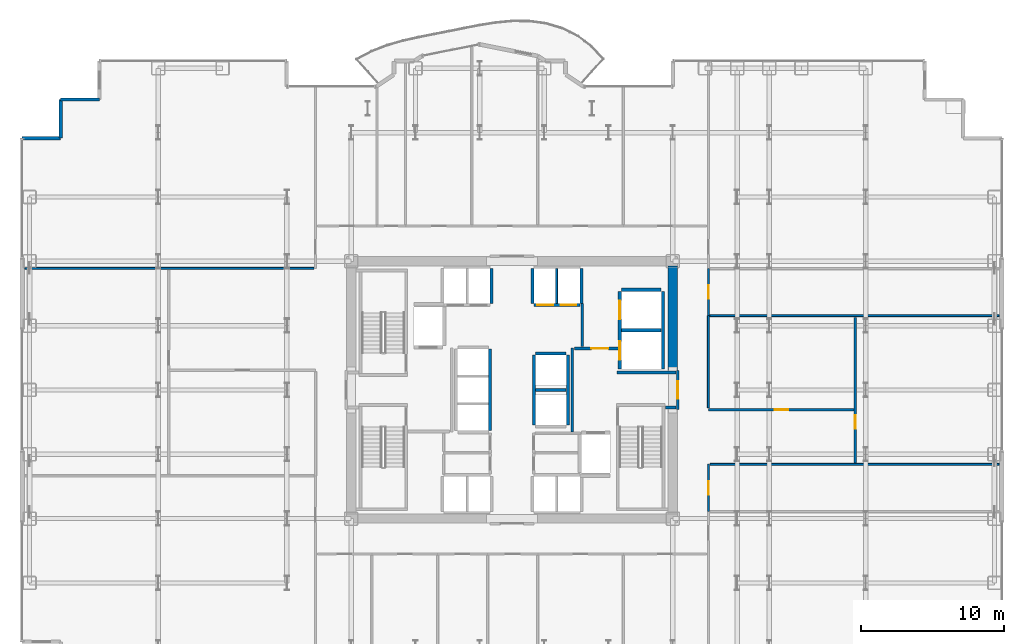
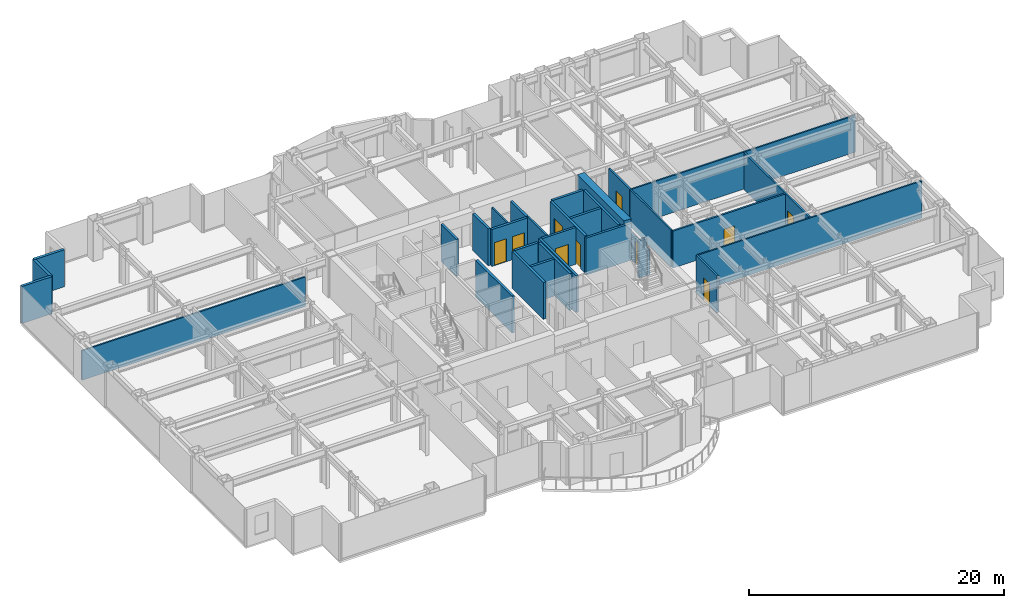
# One storey, part 25 of 29: 32 walls, 10 doors, 10 openings.
"""IFC4 building model written with IfcOpenShell, lengths in metres."""

from ifc_helpers import new_model, si_unit, direction, frame, frame_2d, origin, place, context, subcontext, project, spatial, rectangle, extrude, source, transform, mapped, material, layer, layer_set, type_object, element, fill, save


model = new_model("IFC4")

# Units and contexts
model_context = context("Model", 3, precision=1e-05, world=origin(), true_north=direction((0.0, 1.0)))
body_context = subcontext(model_context, "Body", "Model", "MODEL_VIEW")
ifc_project = project(units=[si_unit("LENGTHUNIT", "METRE"), si_unit("AREAUNIT", "SQUARE_METRE"), si_unit("VOLUMEUNIT", "CUBIC_METRE"), si_unit("PLANEANGLEUNIT", "RADIAN"), si_unit("MASSUNIT", "GRAM", prefix="KILO")], contexts=[model_context])

# Site, building, storey
site_placement = place(None, origin())
site = spatial("IfcSite", under=ifc_project, at=site_placement, CompositionType="ELEMENT")
building_placement = place(site_placement, origin())
building = spatial("IfcBuilding", under=site, at=building_placement, Name="Nefas-Gora Pilgrimage Tower", CompositionType="ELEMENT")
storey_placement = place(building_placement, frame((0.0, 0.0, 55.800048828125)))
storey = spatial("IfcBuildingStorey", under=building, at=storey_placement, Name="L12", CompositionType="ELEMENT", Elevation=55.800048828125)

# Walls
ifc_material_1 = material(Name="Concrete C60/75", Category="concrete")
ifc_layer_1 = layer(ifc_material_1, 0.64990234375)
ifc_layer_set_1 = layer_set([ifc_layer_1], Name="Concrete C60/75")
wall_type_1 = type_object("IfcWallType", Name="SW-CORE-650", PredefinedType="SHEAR", material=ifc_layer_set_1)
shared_shape_1 = source(origin(), body_context, "Body", "SweptSolid", [
    extrude(rectangle(XDim=7.324951171875, YDim=0.64990234375, at=frame_2d((3.66259765625, 0.0))), origin(), (0.0, 0.0, 1.0), 3.800048828125),
])
wall_1_placement = place(storey_placement, frame((11.25, 1.35009765625, 0.0), z_axis=(0.0, 0.0, 1.0), x_axis=(0.0, 1.0, 0.0)))
element("IfcWall", 1, at=wall_1_placement, inside=storey, type_object=wall_type_1, Name="L12 Core Shear Wall E-North", PredefinedType="SHEAR", context=body_context, shape_type="MappedRepresentation", body=[
    mapped(shared_shape_1, transform((0.0, 0.0, 0.0), x_axis=(1.0, 0.0, 0.0), y_axis=(0.0, 1.0, 0.0), z_axis=(0.0, 0.0, 1.0), scale=1.0)),
])
ifc_material_2 = material(Name="Precast concrete C45/55", Category="concrete")
ifc_layer_2 = layer(ifc_material_2, 0.239990234375)
ifc_layer_set_2 = layer_set([ifc_layer_2], Name="Precast concrete C45/55")
wall_type_2 = type_object("IfcWallType", Name="EW-SERR-240", PredefinedType="SHEAR", material=ifc_layer_set_2)
shared_shape_2 = source(origin(), body_context, "Body", "SweptSolid", [
    extrude(rectangle(XDim=2.699951171875, YDim=0.239990234375, at=frame_2d((1.35009765625, 0.0))), origin(), (0.0, 0.0, 1.0), 3.550048828125),
])
for number, where, z_axis, x_axis, name in (
    (2, (-28.8701171875, 20.320068359375, 0.0), (0.0, 0.0, 1.0), (-1.0, 0.0, 0.0), "L12 Serrated Corner Shear Pier Wall 26"),
    (3, (-31.570068359375, 20.320068359375, 0.0), (0.0, 0.0, 1.0), (0.0, -1.0, 0.0), "L12 Serrated Corner Shear Pier Wall 27"),
    (4, (-31.570068359375, 17.6201171875, 0.0), (0.0, 0.0, 1.0), (-1.0, 0.0, 0.0), "L12 Serrated Corner Shear Pier Wall 28"),
):
    element("IfcWall", number, at=place(storey_placement, frame(where, z_axis=z_axis, x_axis=x_axis)), inside=storey, type_object=wall_type_2, Name=name, PredefinedType="SHEAR", context=body_context, shape_type="MappedRepresentation", body=[
        mapped(shared_shape_2, transform((0.0, 0.0, 0.0), x_axis=(1.0, 0.0, 0.0), y_axis=(0.0, 1.0, 0.0), z_axis=(0.0, 0.0, 1.0), scale=1.0)),
    ])

# Wall, openings, doors
ifc_material_3 = material(Name="Concrete C40/50", Category="concrete")
ifc_layer_3 = layer(ifc_material_3, 0.219970703125)
ifc_layer_set_3 = layer_set([ifc_layer_3], Name="Concrete C40/50")
wall_type_3 = type_object("IfcWallType", Name="IW-SHAFT-220", PredefinedType="SOLIDWALL", material=ifc_layer_set_3)
shared_shape_3 = source(origin(), body_context, "Body", "SweptSolid", [
    extrude(rectangle(XDim=5.449951171875, YDim=0.219970703125, at=frame_2d((2.72509765625, 0.0))), origin(), (0.0, 0.0, 1.0), 3.534912109375),
])
wall_2_placement = place(storey_placement, frame((7.5400390625, 6.89990234375, 0.0), z_axis=(0.0, 0.0, 1.0), x_axis=(0.0, -1.0, 0.0)))
wall_2 = element("IfcWall", 5, at=wall_2_placement, inside=storey, type_object=wall_type_3, Name="L12 Hoistway Wall SL-01-02-W", PredefinedType="SOLIDWALL", context=body_context, shape_type="MappedRepresentation", body=[
    mapped(shared_shape_3, transform((0.0, 0.0, 0.0), x_axis=(1.0, 0.0, 0.0), y_axis=(0.0, 1.0, 0.0), z_axis=(0.0, 0.0, 1.0), scale=1.0)),
])
opening_1_placement = place(wall_2_placement, frame((3.5, 0.0, 0.0)))
opening_1 = element("IfcOpeningElement", 6, at=opening_1_placement, cuts=wall_2, Name="Opening LD-SV", PredefinedType="OPENING", context=body_context, shape_type="SweptSolid", body=[
    extrude(rectangle(XDim=1.300048828125, YDim=2.300048828125, at=frame_2d((0.64990234375, 1.14990234375))), frame((0.0, 0.119873046875, 0.0), z_axis=(0.0, -1.0, 0.0), x_axis=(1.0, 0.0, 0.0)), (0.0, 0.0, 1.0), 0.239990234375),
])
opening_2_placement = place(wall_2_placement, frame((0.64990234375, 0.0, 0.0)))
opening_2 = element("IfcOpeningElement", 7, at=opening_2_placement, cuts=wall_2, Name="Opening LD-SV", PredefinedType="OPENING", context=body_context, shape_type="SweptSolid", body=[
    extrude(rectangle(XDim=1.300048828125, YDim=2.300048828125, at=frame_2d((0.64990234375, 1.14990234375))), frame((0.0, 0.119873046875, 0.0), z_axis=(0.0, -1.0, 0.0), x_axis=(1.0, 0.0, 0.0)), (0.0, 0.0, 1.0), 0.239990234375),
])
ifc_material_4 = material(Name="Heavy goods sliding lift landing door")
door_type_1 = type_object("IfcDoorType", Name="DR-LIFT-SERV-1300", OperationType="SLIDING_TO_RIGHT", PredefinedType="DOOR", material=ifc_material_4)
shared_shape_4 = source(origin(), body_context, "Body", "SweptSolid", [
    extrude(rectangle(XDim=1.300048828125, YDim=2.300048828125, at=frame_2d((0.64990234375, 1.14990234375))), frame((0.0, 0.02490234375, 0.0), z_axis=(0.0, -1.0, 0.0), x_axis=(1.0, 0.0, 0.0)), (0.0, 0.0, 1.0), 0.050048828125),
])
door_1_placement = place(opening_1_placement, origin())
door_1 = element("IfcDoor", 8, at=door_1_placement, inside=storey, type_object=door_type_1, Name="L12 Sliding Lift Landing Door SL-01", OperationType="SLIDING_TO_RIGHT", OverallHeight=2.300048828125, OverallWidth=1.300048828125, PredefinedType="DOOR", context=body_context, shape_type="MappedRepresentation", body=[
    mapped(shared_shape_4, transform((0.0, 0.0, 0.0), x_axis=(1.0, 0.0, 0.0), y_axis=(0.0, 1.0, 0.0), z_axis=(0.0, 0.0, 1.0), scale=1.0)),
])
fill(opening_1, door_1)
door_2_placement = place(opening_2_placement, origin())
door_2 = element("IfcDoor", 9, at=door_2_placement, inside=storey, type_object=door_type_1, Name="L12 Sliding Lift Landing Door SL-02", OperationType="SLIDING_TO_RIGHT", OverallHeight=2.300048828125, OverallWidth=1.300048828125, PredefinedType="DOOR", context=body_context, shape_type="MappedRepresentation", body=[
    mapped(shared_shape_4, transform((0.0, 0.0, 0.0), x_axis=(1.0, 0.0, 0.0), y_axis=(0.0, 1.0, 0.0), z_axis=(0.0, 0.0, 1.0), scale=1.0)),
])
fill(opening_2, door_2)

# Walls
wall_3_placement = place(storey_placement, frame((10.56005859375, 1.449951171875, 0.0), z_axis=(0.0, 0.0, 1.0), x_axis=(0.0, 1.0, 0.0)))
element("IfcWall", 10, at=wall_3_placement, inside=storey, type_object=wall_type_3, Name="L12 Hoistway Wall SL-01-02-E", PredefinedType="SOLIDWALL", context=body_context, shape_type="MappedRepresentation", body=[
    mapped(shared_shape_3, transform((0.0, 0.0, 0.0), x_axis=(1.0, 0.0, 0.0), y_axis=(0.0, 1.0, 0.0), z_axis=(0.0, 0.0, 1.0), scale=1.0)),
])
shared_shape_5 = source(origin(), body_context, "Body", "SweptSolid", [
    extrude(rectangle(XDim=2.780029296875, YDim=0.219970703125, at=frame_2d((1.39013671875, 0.0))), origin(), (0.0, 0.0, 1.0), 3.534912109375),
])
for number, where, z_axis, x_axis, name in (
    (11, (7.659912109375, 4.175048828125, 0.0), (0.0, 0.0, 1.0), (1.0, 0.0, 0.0), "L12 Hoistway Wall SL-01-02-DIV"),
    (12, (10.43994140625, 7.010009765625, 0.0), (0.0, 0.0, 1.0), (-1.0, 0.0, 0.0), "L12 Hoistway Wall SL-02-N"),
):
    element("IfcWall", number, at=place(storey_placement, frame(where, z_axis=z_axis, x_axis=x_axis)), inside=storey, type_object=wall_type_3, Name=name, PredefinedType="SOLIDWALL", context=body_context, shape_type="MappedRepresentation", body=[
        mapped(shared_shape_5, transform((0.0, 0.0, 0.0), x_axis=(1.0, 0.0, 0.0), y_axis=(0.0, 1.0, 0.0), z_axis=(0.0, 0.0, 1.0), scale=1.0)),
    ])

# Wall, openings, doors
shared_shape_6 = source(origin(), body_context, "Body", "SweptSolid", [
    extrude(rectangle(XDim=3.199951171875, YDim=0.219970703125, at=frame_2d((1.60009765625, 0.0))), origin(), (0.0, 0.0, 1.0), 3.534912109375),
])
wall_4_placement = place(storey_placement, frame((1.550048828125, 5.93994140625, 0.0), z_axis=(0.0, 0.0, 1.0), x_axis=(1.0, 0.0, 0.0)))
wall_4 = element("IfcWall", 13, at=wall_4_placement, inside=storey, type_object=wall_type_3, Name="L12 Hoistway Wall PL1-E-S", PredefinedType="SOLIDWALL", context=body_context, shape_type="MappedRepresentation", body=[
    mapped(shared_shape_6, transform((0.0, 0.0, 0.0), x_axis=(1.0, 0.0, 0.0), y_axis=(0.0, 1.0, 0.0), z_axis=(0.0, 0.0, 1.0), scale=1.0)),
])
opening_3_placement = place(wall_4_placement, frame((0.22509765625, 0.0, 0.0)))
opening_3 = element("IfcOpeningElement", 14, at=opening_3_placement, cuts=wall_4, Name="Opening LD-01", PredefinedType="OPENING", context=body_context, shape_type="SweptSolid", body=[
    extrude(rectangle(XDim=1.10009765625, YDim=2.199951171875, at=frame_2d((0.550048828125, 1.10009765625))), frame((0.0, 0.119873046875, 0.0), z_axis=(0.0, -1.0, 0.0), x_axis=(1.0, 0.0, 0.0)), (0.0, 0.0, 1.0), 0.239990234375),
])
opening_4_placement = place(wall_4_placement, frame((1.85009765625, 0.0, 0.0)))
opening_4 = element("IfcOpeningElement", 15, at=opening_4_placement, cuts=wall_4, Name="Opening LD-01", PredefinedType="OPENING", context=body_context, shape_type="SweptSolid", body=[
    extrude(rectangle(XDim=1.10009765625, YDim=2.199951171875, at=frame_2d((0.550048828125, 1.10009765625))), frame((0.0, 0.119873046875, 0.0), z_axis=(0.0, -1.0, 0.0), x_axis=(1.0, 0.0, 0.0)), (0.0, 0.0, 1.0), 0.239990234375),
])
ifc_material_5 = material(Name="Brushed stainless sliding lift landing door")
door_type_2 = type_object("IfcDoorType", Name="DR-LIFT-PASS-1100", OperationType="DOUBLE_DOOR_SLIDING", PredefinedType="DOOR", material=ifc_material_5)
shared_shape_7 = source(origin(), body_context, "Body", "SweptSolid", [
    extrude(rectangle(XDim=1.10009765625, YDim=2.199951171875, at=frame_2d((0.550048828125, 1.10009765625))), frame((0.0, 0.02490234375, 0.0), z_axis=(0.0, -1.0, 0.0), x_axis=(1.0, 0.0, 0.0)), (0.0, 0.0, 1.0), 0.050048828125),
])
door_3_placement = place(opening_3_placement, origin())
door_3 = element("IfcDoor", 16, at=door_3_placement, inside=storey, type_object=door_type_2, Name="L12 Sliding Lift Landing Door PL1-03", OperationType="DOUBLE_DOOR_SLIDING", OverallHeight=2.199951171875, OverallWidth=1.10009765625, PredefinedType="DOOR", context=body_context, shape_type="MappedRepresentation", body=[
    mapped(shared_shape_7, transform((0.0, 0.0, 0.0), x_axis=(1.0, 0.0, 0.0), y_axis=(0.0, 1.0, 0.0), z_axis=(0.0, 0.0, 1.0), scale=1.0)),
])
fill(opening_3, door_3)
door_4_placement = place(opening_4_placement, origin())
door_4 = element("IfcDoor", 17, at=door_4_placement, inside=storey, type_object=door_type_2, Name="L12 Sliding Lift Landing Door PL1-04", OperationType="DOUBLE_DOOR_SLIDING", OverallHeight=2.199951171875, OverallWidth=1.10009765625, PredefinedType="DOOR", context=body_context, shape_type="MappedRepresentation", body=[
    mapped(shared_shape_7, transform((0.0, 0.0, 0.0), x_axis=(1.0, 0.0, 0.0), y_axis=(0.0, 1.0, 0.0), z_axis=(0.0, 0.0, 1.0), scale=1.0)),
])
fill(opening_4, door_4)

# Walls
shared_shape_8 = source(origin(), body_context, "Body", "SweptSolid", [
    extrude(rectangle(XDim=2.429931640625, YDim=0.219970703125, at=frame_2d((1.21484375, 0.0))), origin(), (0.0, 0.0, 1.0), 3.534912109375),
])
for number, where, z_axis, x_axis, name in (
    (18, (-1.43994140625, 6.06005859375, 0.0), (0.0, 0.0, 1.0), (0.0, 1.0, 0.0), "L12 Hoistway Wall PL1-W-E"),
    (19, (1.43994140625, 8.489990234375, 0.0), (0.0, 0.0, 1.0), (0.0, -1.0, 0.0), "L12 Hoistway Wall PL1-E-W"),
    (20, (4.860107421875, 6.06005859375, 0.0), (0.0, 0.0, 1.0), (0.0, 1.0, 0.0), "L12 Hoistway Wall PL1-E-E"),
):
    element("IfcWall", number, at=place(storey_placement, frame(where, z_axis=z_axis, x_axis=x_axis)), inside=storey, type_object=wall_type_3, Name=name, PredefinedType="SOLIDWALL", context=body_context, shape_type="MappedRepresentation", body=[
        mapped(shared_shape_8, transform((0.0, 0.0, 0.0), x_axis=(1.0, 0.0, 0.0), y_axis=(0.0, 1.0, 0.0), z_axis=(0.0, 0.0, 1.0), scale=1.0)),
    ])
ifc_material_6 = material(Name="Gypsum twin-stud partition")
ifc_layer_4 = layer(ifc_material_6, 0.139892578125)
ifc_layer_set_4 = layer_set([ifc_layer_4], Name="Gypsum twin-stud partition")
wall_type_4 = type_object("IfcWallType", Name="IW-UNIT-140", PredefinedType="PARTITIONING", material=ifc_layer_set_4)
shared_shape_9 = source(origin(), body_context, "Body", "SweptSolid", [
    extrude(rectangle(XDim=2.429931640625, YDim=0.139892578125, at=frame_2d((1.21484375, 0.0))), origin(), (0.0, 0.0, 1.0), 3.534912109375),
])
wall_5_placement = place(storey_placement, frame((3.125, 6.06005859375, 0.0), z_axis=(0.0, 0.0, 1.0), x_axis=(0.0, 1.0, 0.0)))
element("IfcWall", 21, at=wall_5_placement, inside=storey, type_object=wall_type_4, Name="L12 Hoistway Wall PL1-E-DIV", PredefinedType="PARTITIONING", context=body_context, shape_type="MappedRepresentation", body=[
    mapped(shared_shape_9, transform((0.0, 0.0, 0.0), x_axis=(1.0, 0.0, 0.0), y_axis=(0.0, 1.0, 0.0), z_axis=(0.0, 0.0, 1.0), scale=1.0)),
])
shared_shape_10 = source(origin(), body_context, "Body", "SweptSolid", [
    extrude(rectangle(XDim=5.7001953125, YDim=0.219970703125, at=frame_2d((2.85009765625, 0.0))), origin(), (0.0, 0.0, 1.0), 3.534912109375),
])
wall_6_placement = place(storey_placement, frame((-1.5400390625, -2.85009765625, 0.0), z_axis=(0.0, 0.0, 1.0), x_axis=(0.0, 1.0, 0.0)))
element("IfcWall", 22, at=wall_6_placement, inside=storey, type_object=wall_type_3, Name="L12 Hoistway Wall PL3-01-03-E", PredefinedType="SOLIDWALL", context=body_context, shape_type="MappedRepresentation", body=[
    mapped(shared_shape_10, transform((0.0, 0.0, 0.0), x_axis=(1.0, 0.0, 0.0), y_axis=(0.0, 1.0, 0.0), z_axis=(0.0, 0.0, 1.0), scale=1.0)),
])
shared_shape_11 = source(origin(), body_context, "Body", "SweptSolid", [
    extrude(rectangle(XDim=2.130126953125, YDim=0.219970703125, at=frame_2d((1.06494140625, 0.0))), origin(), (0.0, 0.0, 1.0), 3.534912109375),
])
for number, where, z_axis, x_axis, name in (
    (23, (1.659912109375, 0.0, 0.0), (0.0, 0.0, 1.0), (1.0, 0.0, 0.0), "L12 Hoistway Wall OBS-01-02-DIV"),
    (24, (3.7900390625, 2.56005859375, 0.0), (0.0, 0.0, 1.0), (-1.0, 0.0, 0.0), "L12 Hoistway Wall OBS-02-N"),
):
    element("IfcWall", number, at=place(storey_placement, frame(where, z_axis=z_axis, x_axis=x_axis)), inside=storey, type_object=wall_type_3, Name=name, PredefinedType="SOLIDWALL", context=body_context, shape_type="MappedRepresentation", body=[
        mapped(shared_shape_11, transform((0.0, 0.0, 0.0), x_axis=(1.0, 0.0, 0.0), y_axis=(0.0, 1.0, 0.0), z_axis=(0.0, 0.0, 1.0), scale=1.0)),
    ])
shared_shape_12 = source(origin(), body_context, "Body", "SweptSolid", [
    extrude(rectangle(XDim=4.89990234375, YDim=0.219970703125, at=frame_2d((2.449951171875, 0.0))), origin(), (0.0, 0.0, 1.0), 3.534912109375),
])
for number, where, z_axis, x_axis, name in (
    (25, (1.5400390625, 2.449951171875, 0.0), (0.0, 0.0, 1.0), (0.0, -1.0, 0.0), "L12 Hoistway Wall OBS-01-02-W"),
    (26, (3.909912109375, -2.449951171875, 0.0), (0.0, 0.0, 1.0), (0.0, 1.0, 0.0), "L12 Hoistway Wall OBS-01-02-E"),
):
    element("IfcWall", number, at=place(storey_placement, frame(where, z_axis=z_axis, x_axis=x_axis)), inside=storey, type_object=wall_type_3, Name=name, PredefinedType="SOLIDWALL", context=body_context, shape_type="MappedRepresentation", body=[
        mapped(shared_shape_12, transform((0.0, 0.0, 0.0), x_axis=(1.0, 0.0, 0.0), y_axis=(0.0, 1.0, 0.0), z_axis=(0.0, 0.0, 1.0), scale=1.0)),
    ])

# Wall, opening, door
ifc_material_7 = material(Name="Gypsum fire-rated shaftwall")
ifc_layer_5 = layer(ifc_material_7, 0.199951171875)
ifc_layer_set_5 = layer_set([ifc_layer_5], Name="Gypsum fire-rated shaftwall")
wall_type_5 = type_object("IfcWallType", Name="IW-FFLOB-200", PredefinedType="PARTITIONING", material=ifc_layer_set_5)
shared_shape_13 = source(origin(), body_context, "Body", "SweptSolid", [
    extrude(rectangle(XDim=2.7001953125, YDim=0.199951171875, at=frame_2d((1.35009765625, 0.0))), origin(), (0.0, 0.0, 1.0), 2.425048828125),
])
wall_7_placement = place(storey_placement, frame((11.60009765625, -1.35009765625, 0.0), z_axis=(0.0, 0.0, 1.0), x_axis=(0.0, 1.0, 0.0)))
wall_7 = element("IfcWall", 27, at=wall_7_placement, inside=storey, type_object=wall_type_5, Name="L12 FF Lobby East Portal Wall 8", PredefinedType="PARTITIONING", context=body_context, shape_type="MappedRepresentation", body=[
    mapped(shared_shape_13, transform((0.0, 0.0, 0.0), x_axis=(1.0, 0.0, 0.0), y_axis=(0.0, 1.0, 0.0), z_axis=(0.0, 0.0, 1.0), scale=1.0)),
])
opening_5_placement = place(wall_7_placement, frame((0.75, 0.0, 0.0)))
opening_5 = element("IfcOpeningElement", 28, at=opening_5_placement, cuts=wall_7, Name="Opening ID-FF1", PredefinedType="OPENING", context=body_context, shape_type="SweptSolid", body=[
    extrude(rectangle(XDim=1.199951171875, YDim=2.14990234375, at=frame_2d((0.60009765625, 1.074951171875))), frame((0.0, 0.10986328125, 0.0), z_axis=(0.0, -1.0, 0.0), x_axis=(1.0, 0.0, 0.0)), (0.0, 0.0, 1.0), 0.219970703125),
])
ifc_material_8 = material(Name="Smoke-sealed steel firefighting lobby door", Category="steel")
door_type_3 = type_object("IfcDoorType", Name="DR-INT-FFLOB-1200", OperationType="NOTDEFINED", PredefinedType="DOOR", material=ifc_material_8)
shared_shape_14 = source(origin(), body_context, "Body", "SweptSolid", [
    extrude(rectangle(XDim=1.199951171875, YDim=2.14990234375, at=frame_2d((0.60009765625, 1.074951171875))), frame((0.0, 0.02490234375, 0.0), z_axis=(0.0, -1.0, 0.0), x_axis=(1.0, 0.0, 0.0)), (0.0, 0.0, 1.0), 0.050048828125),
])
door_5_placement = place(opening_5_placement, origin())
door_5 = element("IfcDoor", 29, at=door_5_placement, inside=storey, type_object=door_type_3, Name="L12 FF Lobby East Portal Door 2", OperationType="SINGLE_SWING_LEFT", OverallHeight=2.14990234375, OverallWidth=1.199951171875, PredefinedType="DOOR", context=body_context, shape_type="MappedRepresentation", body=[
    mapped(shared_shape_14, transform((0.0, 0.0, 0.0), x_axis=(1.0, 0.0, 0.0), y_axis=(0.0, 1.0, 0.0), z_axis=(0.0, 0.0, 1.0), scale=1.0)),
])
fill(opening_5, door_5)

# Walls
shared_shape_15 = source(origin(), body_context, "Body", "SweptSolid", [
    extrude(rectangle(XDim=5.89990234375, YDim=0.199951171875, at=frame_2d((2.949951171875, 0.0))), origin(), (0.0, 0.0, 1.0), 3.534912109375),
])
wall_8_placement = place(storey_placement, frame((4.219970703125, -2.949951171875, 0.0), z_axis=(0.0, 0.0, 1.0), x_axis=(0.0, 1.0, 0.0)))
element("IfcWall", 30, at=wall_8_placement, inside=storey, type_object=wall_type_5, Name="L12 FF Lobby East Inner Wall Wall 9", PredefinedType="PARTITIONING", context=body_context, shape_type="MappedRepresentation", body=[
    mapped(shared_shape_15, transform((0.0, 0.0, 0.0), x_axis=(1.0, 0.0, 0.0), y_axis=(0.0, 1.0, 0.0), z_axis=(0.0, 0.0, 1.0), scale=1.0)),
])
shared_shape_16 = source(origin(), body_context, "Body", "SweptSolid", [
    extrude(rectangle(XDim=0.719970703125, YDim=0.199951171875, at=frame_2d((0.35986328125, 0.0))), origin(), (0.0, 0.0, 1.0), 3.534912109375),
])
wall_9_placement = place(storey_placement, frame((10.739990234375, -1.219970703125, 0.0), z_axis=(0.0, 0.0, 1.0), x_axis=(1.0, 0.0, 0.0)))
element("IfcWall", 31, at=wall_9_placement, inside=storey, type_object=wall_type_5, Name="L12 FF Lobby East Throat S Wall 12", PredefinedType="PARTITIONING", context=body_context, shape_type="MappedRepresentation", body=[
    mapped(shared_shape_16, transform((0.0, 0.0, 0.0), x_axis=(1.0, 0.0, 0.0), y_axis=(0.0, 1.0, 0.0), z_axis=(0.0, 0.0, 1.0), scale=1.0)),
])

# Wall, opening, door
shared_shape_17 = source(origin(), body_context, "Body", "SweptSolid", [
    extrude(rectangle(XDim=3.039794921875, YDim=0.199951171875, at=frame_2d((1.52001953125, 0.0))), origin(), (0.0, 0.0, 1.0), 3.534912109375),
])
wall_10_placement = place(storey_placement, frame((4.360107421875, 2.89990234375, 0.0), z_axis=(0.0, 0.0, 1.0), x_axis=(1.0, 0.0, 0.0)))
wall_10 = element("IfcWall", 32, at=wall_10_placement, inside=storey, type_object=wall_type_5, Name="L12 FF Lobby East North Wall Wall 10", PredefinedType="PARTITIONING", context=body_context, shape_type="MappedRepresentation", body=[
    mapped(shared_shape_17, transform((0.0, 0.0, 0.0), x_axis=(1.0, 0.0, 0.0), y_axis=(0.0, 1.0, 0.0), z_axis=(0.0, 0.0, 1.0), scale=1.0)),
])
opening_6_placement = place(wall_10_placement, frame((1.18994140625, 0.0, 0.0)))
opening_6 = element("IfcOpeningElement", 33, at=opening_6_placement, cuts=wall_10, Name="Opening ID-PL1", PredefinedType="OPENING", context=body_context, shape_type="SweptSolid", body=[
    extrude(rectangle(XDim=1.199951171875, YDim=2.14990234375, at=frame_2d((0.60009765625, 1.074951171875))), frame((0.0, 0.10986328125, 0.0), z_axis=(0.0, -1.0, 0.0), x_axis=(1.0, 0.0, 0.0)), (0.0, 0.0, 1.0), 0.219970703125),
])
ifc_material_9 = material(Name="Heavy-duty steel plant room fire door", Category="steel")
door_type_4 = type_object("IfcDoorType", Name="DR-INT-PLANT-1200", OperationType="NOTDEFINED", PredefinedType="DOOR", material=ifc_material_9)
door_6_placement = place(opening_6_placement, origin())
door_6 = element("IfcDoor", 34, at=door_6_placement, inside=storey, type_object=door_type_4, Name="L12 Service Lift Lobby Door Door 3", OperationType="SINGLE_SWING_RIGHT", OverallHeight=2.14990234375, OverallWidth=1.199951171875, PredefinedType="DOOR", context=body_context, shape_type="MappedRepresentation", body=[
    mapped(shared_shape_14, transform((0.0, 0.0, 0.0), x_axis=(1.0, 0.0, 0.0), y_axis=(0.0, 1.0, 0.0), z_axis=(0.0, 0.0, 1.0), scale=1.0)),
])
fill(opening_6, door_6)

# Walls
shared_shape_18 = source(origin(), body_context, "Body", "SweptSolid", [
    extrude(rectangle(XDim=4.10986328125, YDim=0.199951171875, at=frame_2d((2.054931640625, 0.0))), origin(), (0.0, 0.0, 1.0), 3.534912109375),
])
wall_11_placement = place(storey_placement, frame((7.35009765625, 1.219970703125, 0.0), z_axis=(0.0, 0.0, 1.0), x_axis=(1.0, 0.0, 0.0)))
element("IfcWall", 35, at=wall_11_placement, inside=storey, type_object=wall_type_5, Name="L12 FF Lobby East Throat N Wall 11", PredefinedType="PARTITIONING", context=body_context, shape_type="MappedRepresentation", body=[
    mapped(shared_shape_18, transform((0.0, 0.0, 0.0), x_axis=(1.0, 0.0, 0.0), y_axis=(0.0, 1.0, 0.0), z_axis=(0.0, 0.0, 1.0), scale=1.0)),
])
ifc_material_10 = material(Name="Gypsum acoustic stud partition")
ifc_layer_6 = layer(ifc_material_10, 0.159912109375)
ifc_layer_set_6 = layer_set([ifc_layer_6], Name="Gypsum acoustic stud partition")
wall_type_6 = type_object("IfcWallType", Name="IW-CORR-160", PredefinedType="PARTITIONING", material=ifc_layer_set_6)
shared_shape_19 = source(origin(), body_context, "Body", "SweptSolid", [
    extrude(rectangle(XDim=3.014892578125, YDim=0.159912109375, at=frame_2d((1.50732421875, 0.0))), origin(), (0.0, 0.0, 1.0), 3.534912109375),
])
wall_12_placement = place(storey_placement, frame((4.919921875, 3.0400390625, 0.0), z_axis=(0.0, 0.0, 1.0), x_axis=(0.0, 1.0, 0.0)))
element("IfcWall", 36, at=wall_12_placement, inside=storey, type_object=wall_type_6, Name="L12 Service Lift Lobby West Wall Wall 15", PredefinedType="PARTITIONING", context=body_context, shape_type="MappedRepresentation", body=[
    mapped(shared_shape_19, transform((0.0, 0.0, 0.0), x_axis=(1.0, 0.0, 0.0), y_axis=(0.0, 1.0, 0.0), z_axis=(0.0, 0.0, 1.0), scale=1.0)),
])
shared_shape_20 = source(origin(), body_context, "Body", "SweptSolid", [
    extrude(rectangle(XDim=20.219970703125, YDim=0.139892578125, at=frame_2d((10.10986328125, 0.0))), origin(), (0.0, 0.0, 1.0), 3.534912109375),
])
wall_13_placement = place(storey_placement, frame((13.860107421875, -5.205078125, 0.0), z_axis=(0.0, 0.0, 1.0), x_axis=(1.0, 0.0, 0.0)))
element("IfcWall", 37, at=wall_13_placement, inside=storey, type_object=wall_type_4, Name="L12 Pilgrim Contemplative Lounge Partition Wall 38", PredefinedType="PARTITIONING", context=body_context, shape_type="MappedRepresentation", body=[
    mapped(shared_shape_20, transform((0.0, 0.0, 0.0), x_axis=(1.0, 0.0, 0.0), y_axis=(0.0, 1.0, 0.0), z_axis=(0.0, 0.0, 1.0), scale=1.0)),
])

# Wall, opening, door
shared_shape_21 = source(origin(), body_context, "Body", "SweptSolid", [
    extrude(rectangle(XDim=10.25, YDim=0.159912109375, at=frame_2d((5.125, 0.0))), origin(), (0.0, 0.0, 1.0), 3.534912109375),
])
wall_14_placement = place(storey_placement, frame((13.72998046875, -1.3798828125, 0.0), z_axis=(0.0, 0.0, 1.0), x_axis=(1.0, 0.0, 0.0)))
wall_14 = element("IfcWall", 38, at=wall_14_placement, inside=storey, type_object=wall_type_6, Name="L12 Pilgrim Contemplative Lounge Partition Wall 39", PredefinedType="PARTITIONING", context=body_context, shape_type="MappedRepresentation", body=[
    mapped(shared_shape_21, transform((0.0, 0.0, 0.0), x_axis=(1.0, 0.0, 0.0), y_axis=(0.0, 1.0, 0.0), z_axis=(0.0, 0.0, 1.0), scale=1.0)),
])
opening_7_placement = place(wall_14_placement, frame((4.64990234375, 0.0, 0.0)))
opening_7 = element("IfcOpeningElement", 39, at=opening_7_placement, cuts=wall_14, Name="Opening ID-GR1", PredefinedType="OPENING", context=body_context, shape_type="SweptSolid", body=[
    extrude(rectangle(XDim=0.949951171875, YDim=2.10009765625, at=frame_2d((0.47509765625, 1.050048828125))), frame((0.0, 0.08984375, 0.0), z_axis=(0.0, -1.0, 0.0), x_axis=(1.0, 0.0, 0.0)), (0.0, 0.0, 1.0), 0.179931640625),
])
ifc_material_11 = material(Name="Solid core oak fire-rated guest entrance door")
door_type_5 = type_object("IfcDoorType", Name="DR-INT-GUEST-950", OperationType="NOTDEFINED", PredefinedType="DOOR", material=ifc_material_11)
shared_shape_22 = source(origin(), body_context, "Body", "SweptSolid", [
    extrude(rectangle(XDim=0.949951171875, YDim=2.10009765625, at=frame_2d((0.47509765625, 1.050048828125))), frame((0.0, 0.02490234375, 0.0), z_axis=(0.0, -1.0, 0.0), x_axis=(1.0, 0.0, 0.0)), (0.0, 0.0, 1.0), 0.050048828125),
])
door_7_placement = place(opening_7_placement, origin())
door_7 = element("IfcDoor", 40, at=door_7_placement, inside=storey, type_object=door_type_5, Name="L12 Pilgrim Contemplative Lounge Door 17", OperationType="SINGLE_SWING_RIGHT", OverallHeight=2.10009765625, OverallWidth=0.949951171875, PredefinedType="DOOR", context=body_context, shape_type="MappedRepresentation", body=[
    mapped(shared_shape_22, transform((0.0, 0.0, 0.0), x_axis=(1.0, 0.0, 0.0), y_axis=(0.0, 1.0, 0.0), z_axis=(0.0, 0.0, 1.0), scale=1.0)),
])
fill(opening_7, door_7)

# Walls
shared_shape_23 = source(origin(), body_context, "Body", "SweptSolid", [
    extrude(rectangle(XDim=6.465087890625, YDim=0.139892578125, at=frame_2d((3.232421875, 0.0))), origin(), (0.0, 0.0, 1.0), 3.534912109375),
])
wall_15_placement = place(storey_placement, frame((13.739990234375, -1.260009765625, 0.0), z_axis=(0.0, 0.0, 1.0), x_axis=(0.0, 1.0, 0.0)))
element("IfcWall", 41, at=wall_15_placement, inside=storey, type_object=wall_type_4, Name="L12 Pilgrim Contemplative Lounge Partition Wall 40", PredefinedType="PARTITIONING", context=body_context, shape_type="MappedRepresentation", body=[
    mapped(shared_shape_23, transform((0.0, 0.0, 0.0), x_axis=(1.0, 0.0, 0.0), y_axis=(0.0, 1.0, 0.0), z_axis=(0.0, 0.0, 1.0), scale=1.0)),
])
shared_shape_24 = source(origin(), body_context, "Body", "SweptSolid", [
    extrude(rectangle(XDim=20.22998046875, YDim=0.139892578125, at=frame_2d((10.114990234375, 0.0))), origin(), (0.0, 0.0, 1.0), 3.534912109375),
])
wall_16_placement = place(storey_placement, frame((13.85009765625, 5.195068359375, 0.0), z_axis=(0.0, 0.0, 1.0), x_axis=(1.0, 0.0, 0.0)))
element("IfcWall", 42, at=wall_16_placement, inside=storey, type_object=wall_type_4, Name="L12 Pilgrim Contemplative Lounge Partition Wall 41", PredefinedType="PARTITIONING", context=body_context, shape_type="MappedRepresentation", body=[
    mapped(shared_shape_24, transform((0.0, 0.0, 0.0), x_axis=(1.0, 0.0, 0.0), y_axis=(0.0, 1.0, 0.0), z_axis=(0.0, 0.0, 1.0), scale=1.0)),
])
shared_shape_25 = source(origin(), body_context, "Body", "SweptSolid", [
    extrude(rectangle(XDim=20.219970703125, YDim=0.139892578125, at=frame_2d((10.10986328125, 0.0))), origin(), (0.0, 0.0, 1.0), 2.824951171875),
])
wall_17_placement = place(storey_placement, frame((-34.080078125, 8.49755859375, 0.0), z_axis=(0.0, 0.0, 1.0), x_axis=(1.0, 0.0, 0.0)))
element("IfcWall", 43, at=wall_17_placement, inside=storey, type_object=wall_type_4, Name="L12 Pilgrim Tea and Beverage Pantry Partition Wall 31", PredefinedType="PARTITIONING", context=body_context, shape_type="MappedRepresentation", body=[
    mapped(shared_shape_25, transform((0.0, 0.0, 0.0), x_axis=(1.0, 0.0, 0.0), y_axis=(0.0, 1.0, 0.0), z_axis=(0.0, 0.0, 1.0), scale=1.0)),
])

# Wall, opening, door
shared_shape_26 = source(origin(), body_context, "Body", "SweptSolid", [
    extrude(rectangle(XDim=3.309814453125, YDim=0.159912109375, at=frame_2d((1.65478515625, 0.0))), origin(), (0.0, 0.0, 1.0), 3.534912109375),
])
wall_18_placement = place(storey_placement, frame((13.739990234375, -8.5048828125, 0.0), z_axis=(0.0, 0.0, 1.0), x_axis=(0.0, 1.0, 0.0)))
wall_18 = element("IfcWall", 44, at=wall_18_placement, inside=storey, type_object=wall_type_6, Name="L12 Pilgrim Contemplative Lounge Partition Wall 37", PredefinedType="PARTITIONING", context=body_context, shape_type="MappedRepresentation", body=[
    mapped(shared_shape_26, transform((0.0, 0.0, 0.0), x_axis=(1.0, 0.0, 0.0), y_axis=(0.0, 1.0, 0.0), z_axis=(0.0, 0.0, 1.0), scale=1.0)),
])
opening_8_placement = place(wall_18_placement, frame((1.179931640625, 0.0, 0.0)))
opening_8 = element("IfcOpeningElement", 45, at=opening_8_placement, cuts=wall_18, Name="Opening ID-GR1", PredefinedType="OPENING", context=body_context, shape_type="SweptSolid", body=[
    extrude(rectangle(XDim=0.949951171875, YDim=2.10009765625, at=frame_2d((0.47509765625, 1.050048828125))), frame((0.0, 0.08984375, 0.0), z_axis=(0.0, -1.0, 0.0), x_axis=(1.0, 0.0, 0.0)), (0.0, 0.0, 1.0), 0.179931640625),
])
door_8_placement = place(opening_8_placement, origin())
door_8 = element("IfcDoor", 46, at=door_8_placement, inside=storey, type_object=door_type_5, Name="L12 Pilgrim Contemplative Lounge Door 16", OperationType="SINGLE_SWING_LEFT", OverallHeight=2.10009765625, OverallWidth=0.949951171875, PredefinedType="DOOR", context=body_context, shape_type="MappedRepresentation", body=[
    mapped(shared_shape_22, transform((0.0, 0.0, 0.0), x_axis=(1.0, 0.0, 0.0), y_axis=(0.0, 1.0, 0.0), z_axis=(0.0, 0.0, 1.0), scale=1.0)),
])
fill(opening_8, door_8)

wall_19_placement = place(storey_placement, frame((13.739990234375, 5.195068359375, 0.0), z_axis=(0.0, 0.0, 1.0), x_axis=(0.0, 1.0, 0.0)))
wall_19 = element("IfcWall", 47, at=wall_19_placement, inside=storey, type_object=wall_type_6, Name="L12 Pilgrim Contemplative Lounge Partition Wall 43", PredefinedType="PARTITIONING", context=body_context, shape_type="MappedRepresentation", body=[
    mapped(shared_shape_26, transform((0.0, 0.0, 0.0), x_axis=(1.0, 0.0, 0.0), y_axis=(0.0, 1.0, 0.0), z_axis=(0.0, 0.0, 1.0), scale=1.0)),
])
opening_9_placement = place(wall_19_placement, frame((1.179931640625, 0.0, 0.0)))
opening_9 = element("IfcOpeningElement", 48, at=opening_9_placement, cuts=wall_19, Name="Opening ID-GR1", PredefinedType="OPENING", context=body_context, shape_type="SweptSolid", body=[
    extrude(rectangle(XDim=0.949951171875, YDim=2.10009765625, at=frame_2d((0.47509765625, 1.050048828125))), frame((0.0, 0.08984375, 0.0), z_axis=(0.0, -1.0, 0.0), x_axis=(1.0, 0.0, 0.0)), (0.0, 0.0, 1.0), 0.179931640625),
])
door_9_placement = place(opening_9_placement, origin())
door_9 = element("IfcDoor", 49, at=door_9_placement, inside=storey, type_object=door_type_5, Name="L12 Pilgrim Contemplative Lounge Door 19", OperationType="SINGLE_SWING_RIGHT", OverallHeight=2.10009765625, OverallWidth=0.949951171875, PredefinedType="DOOR", context=body_context, shape_type="MappedRepresentation", body=[
    mapped(shared_shape_22, transform((0.0, 0.0, 0.0), x_axis=(1.0, 0.0, 0.0), y_axis=(0.0, 1.0, 0.0), z_axis=(0.0, 0.0, 1.0), scale=1.0)),
])
fill(opening_9, door_9)

shared_shape_27 = source(origin(), body_context, "Body", "SweptSolid", [
    extrude(rectangle(XDim=10.179931640625, YDim=0.159912109375, at=frame_2d((5.08984375, 0.0))), origin(), (0.0, 0.0, 1.0), 3.534912109375),
])
wall_20_placement = place(storey_placement, frame((24.02001953125, -5.094970703125, 0.0), z_axis=(0.0, 0.0, 1.0), x_axis=(0.0, 1.0, 0.0)))
wall_20 = element("IfcWall", 50, at=wall_20_placement, inside=storey, type_object=wall_type_6, Name="L12 Pilgrim Contemplative Lounge Partition Wall 42", PredefinedType="PARTITIONING", context=body_context, shape_type="MappedRepresentation", body=[
    mapped(shared_shape_27, transform((0.0, 0.0, 0.0), x_axis=(1.0, 0.0, 0.0), y_axis=(0.0, 1.0, 0.0), z_axis=(0.0, 0.0, 1.0), scale=1.0)),
])
opening_10_placement = place(wall_20_placement, frame((2.3701171875, 0.0, 0.0)))
opening_10 = element("IfcOpeningElement", 51, at=opening_10_placement, cuts=wall_20, Name="Opening ID-GR1", PredefinedType="OPENING", context=body_context, shape_type="SweptSolid", body=[
    extrude(rectangle(XDim=0.949951171875, YDim=2.10009765625, at=frame_2d((0.47509765625, 1.050048828125))), frame((0.0, 0.08984375, 0.0), z_axis=(0.0, -1.0, 0.0), x_axis=(1.0, 0.0, 0.0)), (0.0, 0.0, 1.0), 0.179931640625),
])
door_10_placement = place(opening_10_placement, origin())
door_10 = element("IfcDoor", 52, at=door_10_placement, inside=storey, type_object=door_type_5, Name="L12 Pilgrim Contemplative Lounge Door 18", OperationType="SINGLE_SWING_LEFT", OverallHeight=2.10009765625, OverallWidth=0.949951171875, PredefinedType="DOOR", context=body_context, shape_type="MappedRepresentation", body=[
    mapped(shared_shape_22, transform((0.0, 0.0, 0.0), x_axis=(1.0, 0.0, 0.0), y_axis=(0.0, 1.0, 0.0), z_axis=(0.0, 0.0, 1.0), scale=1.0)),
])
fill(opening_10, door_10)

save(model, "model.ifc")
